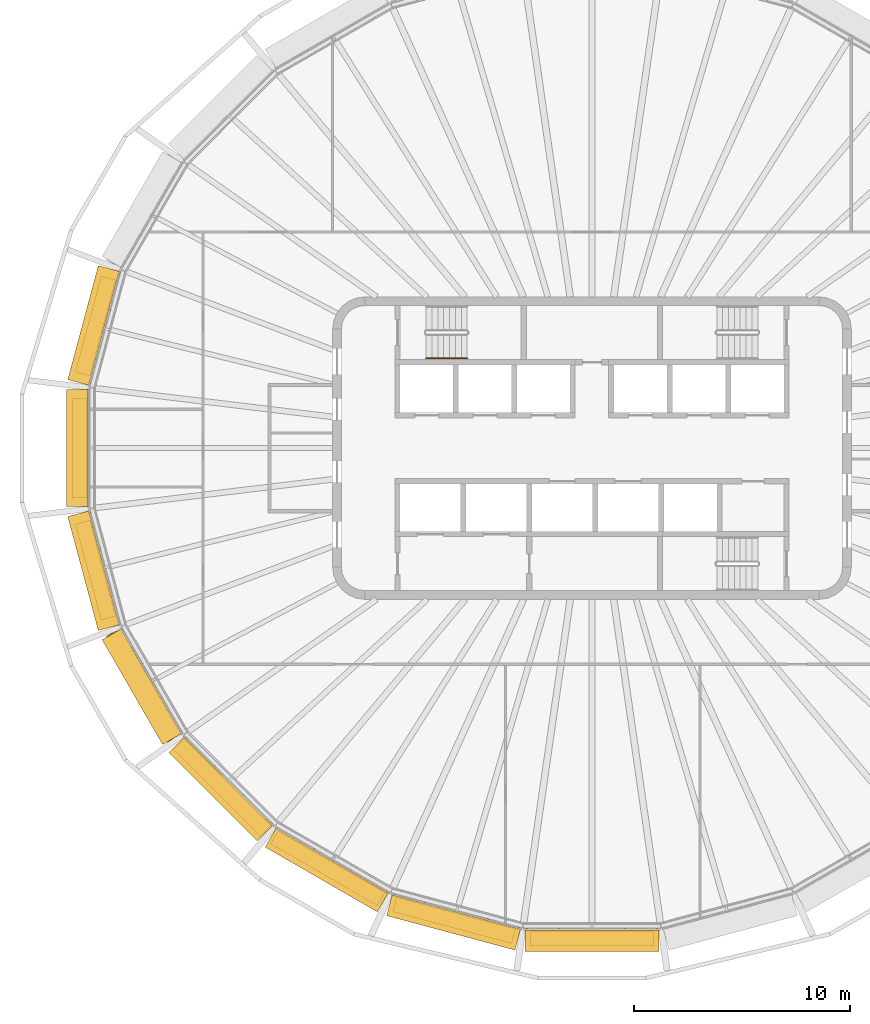
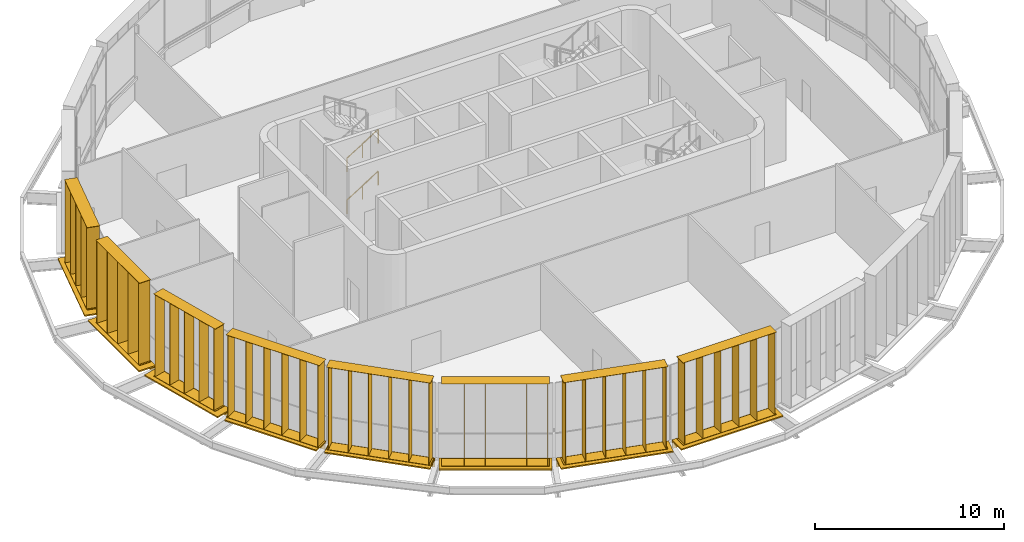
# One storey, part 12 of 16: 16 shading devices, 2 railings.
"""IFC4 building model written with IfcOpenShell, lengths in metres."""

from ifc_helpers import new_model, si_unit, direction, frame, origin, origin_2d, place, context, subcontext, project, spatial, rectangle, circle, extrude, material, type_object, element, save


model = new_model("IFC4")

# Units and contexts
model_context = context("Model", 3, precision=1e-05, world=origin(), true_north=direction((0.0, 1.0)))
body_context = subcontext(model_context, "Body", "Model", "MODEL_VIEW")
ifc_project = project(units=[si_unit("LENGTHUNIT", "METRE"), si_unit("AREAUNIT", "SQUARE_METRE"), si_unit("VOLUMEUNIT", "CUBIC_METRE"), si_unit("PLANEANGLEUNIT", "RADIAN"), si_unit("MASSUNIT", "GRAM", prefix="KILO")], contexts=[model_context])

# Site, building, storey
site_placement = place(None, origin())
site = spatial("IfcSite", under=ifc_project, at=site_placement, CompositionType="ELEMENT")
building_placement = place(site_placement, origin())
building = spatial("IfcBuilding", under=site, at=building_placement, Name="Sahrelin Media Tower", CompositionType="ELEMENT")
storey_placement = place(building_placement, frame((0.0, 0.0, 324.39990234375)))
storey = spatial("IfcBuildingStorey", under=building, at=storey_placement, Name="L72", CompositionType="ELEMENT", Elevation=324.39990234375)

# Shading devices
ifc_material_1 = material(Name="Champagne anodised aluminium 6063-T6", Category="aluminium")
shading_device_type_1 = type_object("IfcShadingDeviceType", Name="Fin cassette", PredefinedType="USERDEFINED", material=ifc_material_1)
placement_1 = place(storey_placement, frame((-22.56640625, 5.540283203125, 0.0), z_axis=(0.0, 0.0, 1.0), x_axis=(0.258807731996, 0.965928857556, 0.0)))
element("IfcShadingDevice", 1, at=placement_1, inside=storey, type_object=shading_device_type_1, Name="L72:FIN:L72-11", ObjectType="FIN", PredefinedType="USERDEFINED", context=body_context, shape_type="SweptSolid", body=[
    extrude(rectangle(XDim=4.60009765625, YDim=0.699951171875, at=origin_2d()), frame((0.0, 0.419921875, 0.0)), (0.0, 0.0, 1.0), 0.02001953125),
    extrude(rectangle(XDim=4.60009765625, YDim=0.699951171875, at=origin_2d()), frame((0.0, 0.419921875, 5.300048828125)), (0.0, 0.0, 1.0), 0.02001953125),
    extrude(rectangle(XDim=0.02001953125, YDim=0.699951171875, at=origin_2d()), frame((-2.199951171875, 0.419921875, 0.010009765625), z_axis=(0.0, 0.0, 1.0), x_axis=(1.0, 0.0, 0.0)), (0.0, 0.0, 1.0), 5.300048828125),
    extrude(rectangle(XDim=0.02001953125, YDim=0.699951171875, at=origin_2d()), frame((-1.10009765625, 0.419921875, 0.010009765625), z_axis=(0.0, 0.0, 1.0), x_axis=(1.0, 0.0, 0.0)), (0.0, 0.0, 1.0), 5.300048828125),
    extrude(rectangle(XDim=0.02001953125, YDim=0.699951171875, at=origin_2d()), frame((0.0, 0.419921875, 0.010009765625), z_axis=(0.0, 0.0, 1.0), x_axis=(1.0, 0.0, 0.0)), (0.0, 0.0, 1.0), 5.300048828125),
    extrude(rectangle(XDim=0.02001953125, YDim=0.699951171875, at=origin_2d()), frame((1.10009765625, 0.419921875, 0.010009765625), z_axis=(0.0, 0.0, 1.0), x_axis=(1.0, 0.0, 0.0)), (0.0, 0.0, 1.0), 5.300048828125),
    extrude(rectangle(XDim=0.02001953125, YDim=0.699951171875, at=origin_2d()), frame((2.199951171875, 0.419921875, 0.010009765625), z_axis=(0.0, 0.0, 1.0), x_axis=(1.0, 0.0, 0.0)), (0.0, 0.0, 1.0), 5.300048828125),
])
placement_2 = place(storey_placement, frame((-23.299072265625, 0.0, 0.0), z_axis=(0.0, 0.0, 1.0), x_axis=(0.0, 1.0, 0.0)))
element("IfcShadingDevice", 2, at=placement_2, inside=storey, type_object=shading_device_type_1, Name="L72:FIN:L72-12", ObjectType="FIN", PredefinedType="USERDEFINED", context=body_context, shape_type="SweptSolid", body=[
    extrude(rectangle(XDim=4.60009765625, YDim=0.699951171875, at=origin_2d()), frame((0.0, 0.419921875, 0.0)), (0.0, 0.0, 1.0), 0.02001953125),
    extrude(rectangle(XDim=4.60009765625, YDim=0.699951171875, at=origin_2d()), frame((0.0, 0.419921875, 5.300048828125)), (0.0, 0.0, 1.0), 0.02001953125),
    extrude(rectangle(XDim=0.02001953125, YDim=0.699951171875, at=origin_2d()), frame((-2.199951171875, 0.419921875, 0.010009765625), z_axis=(0.0, 0.0, 1.0), x_axis=(1.0, 0.0, 0.0)), (0.0, 0.0, 1.0), 5.300048828125),
    extrude(rectangle(XDim=0.02001953125, YDim=0.699951171875, at=origin_2d()), frame((-1.10009765625, 0.419921875, 0.010009765625), z_axis=(0.0, 0.0, 1.0), x_axis=(1.0, 0.0, 0.0)), (0.0, 0.0, 1.0), 5.300048828125),
    extrude(rectangle(XDim=0.02001953125, YDim=0.699951171875, at=origin_2d()), frame((0.0, 0.419921875, 0.010009765625), z_axis=(0.0, 0.0, 1.0), x_axis=(1.0, 0.0, 0.0)), (0.0, 0.0, 1.0), 5.300048828125),
    extrude(rectangle(XDim=0.02001953125, YDim=0.699951171875, at=origin_2d()), frame((1.10009765625, 0.419921875, 0.010009765625), z_axis=(0.0, 0.0, 1.0), x_axis=(1.0, 0.0, 0.0)), (0.0, 0.0, 1.0), 5.300048828125),
    extrude(rectangle(XDim=0.02001953125, YDim=0.699951171875, at=origin_2d()), frame((2.199951171875, 0.419921875, 0.010009765625), z_axis=(0.0, 0.0, 1.0), x_axis=(1.0, 0.0, 0.0)), (0.0, 0.0, 1.0), 5.300048828125),
])
placement_3 = place(storey_placement, frame((-22.56640625, -5.540283203125, 0.0), z_axis=(0.0, 0.0, 1.0), x_axis=(-0.258807731996, 0.965928857556, 0.0)))
element("IfcShadingDevice", 3, at=placement_3, inside=storey, type_object=shading_device_type_1, Name="L72:FIN:L72-13", ObjectType="FIN", PredefinedType="USERDEFINED", context=body_context, shape_type="SweptSolid", body=[
    extrude(rectangle(XDim=4.60009765625, YDim=0.699951171875, at=origin_2d()), frame((0.0, 0.419921875, 0.0)), (0.0, 0.0, 1.0), 0.02001953125),
    extrude(rectangle(XDim=4.60009765625, YDim=0.699951171875, at=origin_2d()), frame((0.0, 0.419921875, 5.300048828125)), (0.0, 0.0, 1.0), 0.02001953125),
    extrude(rectangle(XDim=0.02001953125, YDim=0.699951171875, at=origin_2d()), frame((-2.199951171875, 0.419921875, 0.010009765625), z_axis=(0.0, 0.0, 1.0), x_axis=(1.0, 0.0, 0.0)), (0.0, 0.0, 1.0), 5.300048828125),
    extrude(rectangle(XDim=0.02001953125, YDim=0.699951171875, at=origin_2d()), frame((-1.10009765625, 0.419921875, 0.010009765625), z_axis=(0.0, 0.0, 1.0), x_axis=(1.0, 0.0, 0.0)), (0.0, 0.0, 1.0), 5.300048828125),
    extrude(rectangle(XDim=0.02001953125, YDim=0.699951171875, at=origin_2d()), frame((0.0, 0.419921875, 0.010009765625), z_axis=(0.0, 0.0, 1.0), x_axis=(1.0, 0.0, 0.0)), (0.0, 0.0, 1.0), 5.300048828125),
    extrude(rectangle(XDim=0.02001953125, YDim=0.699951171875, at=origin_2d()), frame((1.10009765625, 0.419921875, 0.010009765625), z_axis=(0.0, 0.0, 1.0), x_axis=(1.0, 0.0, 0.0)), (0.0, 0.0, 1.0), 5.300048828125),
    extrude(rectangle(XDim=0.02001953125, YDim=0.699951171875, at=origin_2d()), frame((2.199951171875, 0.419921875, 0.010009765625), z_axis=(0.0, 0.0, 1.0), x_axis=(1.0, 0.0, 0.0)), (0.0, 0.0, 1.0), 5.300048828125),
])
placement_4 = place(storey_placement, frame((-20.385009765625, -10.783935546875, 0.0), z_axis=(0.0, 0.0, 1.0), x_axis=(-0.500011000363, 0.866019052629, 0.0)))
element("IfcShadingDevice", 4, at=placement_4, inside=storey, type_object=shading_device_type_1, Name="L72:FIN:L72-14", ObjectType="FIN", PredefinedType="USERDEFINED", context=body_context, shape_type="SweptSolid", body=[
    extrude(rectangle(XDim=5.699951171875, YDim=0.699951171875, at=origin_2d()), frame((0.0, 0.419921875, 0.0)), (0.0, 0.0, 1.0), 0.02001953125),
    extrude(rectangle(XDim=5.699951171875, YDim=0.699951171875, at=origin_2d()), frame((0.0, 0.419921875, 5.300048828125)), (0.0, 0.0, 1.0), 0.02001953125),
    extrude(rectangle(XDim=0.02001953125, YDim=0.699951171875, at=origin_2d()), frame((-2.75, 0.419921875, 0.010009765625), z_axis=(0.0, 0.0, 1.0), x_axis=(1.0, 0.0, 0.0)), (0.0, 0.0, 1.0), 5.300048828125),
    extrude(rectangle(XDim=0.02001953125, YDim=0.699951171875, at=origin_2d()), frame((-1.64990234375, 0.419921875, 0.010009765625), z_axis=(0.0, 0.0, 1.0), x_axis=(1.0, 0.0, 0.0)), (0.0, 0.0, 1.0), 5.300048828125),
    extrude(rectangle(XDim=0.02001953125, YDim=0.699951171875, at=origin_2d()), frame((-0.550048828125, 0.419921875, 0.010009765625), z_axis=(0.0, 0.0, 1.0), x_axis=(1.0, 0.0, 0.0)), (0.0, 0.0, 1.0), 5.300048828125),
    extrude(rectangle(XDim=0.02001953125, YDim=0.699951171875, at=origin_2d()), frame((0.550048828125, 0.419921875, 0.010009765625), z_axis=(0.0, 0.0, 1.0), x_axis=(1.0, 0.0, 0.0)), (0.0, 0.0, 1.0), 5.300048828125),
    extrude(rectangle(XDim=0.02001953125, YDim=0.699951171875, at=origin_2d()), frame((1.64990234375, 0.419921875, 0.010009765625), z_axis=(0.0, 0.0, 1.0), x_axis=(1.0, 0.0, 0.0)), (0.0, 0.0, 1.0), 5.300048828125),
    extrude(rectangle(XDim=0.02001953125, YDim=0.699951171875, at=origin_2d()), frame((2.75, 0.419921875, 0.010009765625), z_axis=(0.0, 0.0, 1.0), x_axis=(1.0, 0.0, 0.0)), (0.0, 0.0, 1.0), 5.300048828125),
])
placement_5 = place(storey_placement, frame((-16.818359375, -15.4111328125, 0.0), z_axis=(0.0, 0.0, 1.0), x_axis=(-0.707106781187, 0.707106781187, 0.0)))
element("IfcShadingDevice", 5, at=placement_5, inside=storey, type_object=shading_device_type_1, Name="L72:FIN:L72-15", ObjectType="FIN", PredefinedType="USERDEFINED", context=body_context, shape_type="SweptSolid", body=[
    extrude(rectangle(XDim=5.699951171875, YDim=0.699951171875, at=origin_2d()), frame((0.0, 0.419921875, 0.0)), (0.0, 0.0, 1.0), 0.02001953125),
    extrude(rectangle(XDim=5.699951171875, YDim=0.699951171875, at=origin_2d()), frame((0.0, 0.419921875, 5.300048828125)), (0.0, 0.0, 1.0), 0.02001953125),
    extrude(rectangle(XDim=0.02001953125, YDim=0.699951171875, at=origin_2d()), frame((-2.75, 0.419921875, 0.010009765625), z_axis=(0.0, 0.0, 1.0), x_axis=(1.0, 0.0, 0.0)), (0.0, 0.0, 1.0), 5.300048828125),
    extrude(rectangle(XDim=0.02001953125, YDim=0.699951171875, at=origin_2d()), frame((-1.64990234375, 0.419921875, 0.010009765625), z_axis=(0.0, 0.0, 1.0), x_axis=(1.0, 0.0, 0.0)), (0.0, 0.0, 1.0), 5.300048828125),
    extrude(rectangle(XDim=0.02001953125, YDim=0.699951171875, at=origin_2d()), frame((-0.550048828125, 0.419921875, 0.010009765625), z_axis=(0.0, 0.0, 1.0), x_axis=(1.0, 0.0, 0.0)), (0.0, 0.0, 1.0), 5.300048828125),
    extrude(rectangle(XDim=0.02001953125, YDim=0.699951171875, at=origin_2d()), frame((0.550048828125, 0.419921875, 0.010009765625), z_axis=(0.0, 0.0, 1.0), x_axis=(1.0, 0.0, 0.0)), (0.0, 0.0, 1.0), 5.300048828125),
    extrude(rectangle(XDim=0.02001953125, YDim=0.699951171875, at=origin_2d()), frame((1.64990234375, 0.419921875, 0.010009765625), z_axis=(0.0, 0.0, 1.0), x_axis=(1.0, 0.0, 0.0)), (0.0, 0.0, 1.0), 5.300048828125),
    extrude(rectangle(XDim=0.02001953125, YDim=0.699951171875, at=origin_2d()), frame((2.75, 0.419921875, 0.010009765625), z_axis=(0.0, 0.0, 1.0), x_axis=(1.0, 0.0, 0.0)), (0.0, 0.0, 1.0), 5.300048828125),
])
placement_6 = place(storey_placement, frame((-12.01904296875, -19.0771484375, 0.0), z_axis=(0.0, 0.0, 1.0), x_axis=(-0.866019052629, 0.500011000363, 0.0)))
element("IfcShadingDevice", 6, at=placement_6, inside=storey, type_object=shading_device_type_1, Name="L72:FIN:L72-16", ObjectType="FIN", PredefinedType="USERDEFINED", context=body_context, shape_type="SweptSolid", body=[
    extrude(rectangle(XDim=5.699951171875, YDim=0.699951171875, at=origin_2d()), frame((0.0, 0.419921875, 0.0)), (0.0, 0.0, 1.0), 0.02001953125),
    extrude(rectangle(XDim=5.699951171875, YDim=0.699951171875, at=origin_2d()), frame((0.0, 0.419921875, 5.300048828125)), (0.0, 0.0, 1.0), 0.02001953125),
    extrude(rectangle(XDim=0.02001953125, YDim=0.699951171875, at=origin_2d()), frame((-2.75, 0.419921875, 0.010009765625), z_axis=(0.0, 0.0, 1.0), x_axis=(1.0, 0.0, 0.0)), (0.0, 0.0, 1.0), 5.300048828125),
    extrude(rectangle(XDim=0.02001953125, YDim=0.699951171875, at=origin_2d()), frame((-1.64990234375, 0.419921875, 0.010009765625), z_axis=(0.0, 0.0, 1.0), x_axis=(1.0, 0.0, 0.0)), (0.0, 0.0, 1.0), 5.300048828125),
    extrude(rectangle(XDim=0.02001953125, YDim=0.699951171875, at=origin_2d()), frame((-0.550048828125, 0.419921875, 0.010009765625), z_axis=(0.0, 0.0, 1.0), x_axis=(1.0, 0.0, 0.0)), (0.0, 0.0, 1.0), 5.300048828125),
    extrude(rectangle(XDim=0.02001953125, YDim=0.699951171875, at=origin_2d()), frame((0.550048828125, 0.419921875, 0.010009765625), z_axis=(0.0, 0.0, 1.0), x_axis=(1.0, 0.0, 0.0)), (0.0, 0.0, 1.0), 5.300048828125),
    extrude(rectangle(XDim=0.02001953125, YDim=0.699951171875, at=origin_2d()), frame((1.64990234375, 0.419921875, 0.010009765625), z_axis=(0.0, 0.0, 1.0), x_axis=(1.0, 0.0, 0.0)), (0.0, 0.0, 1.0), 5.300048828125),
    extrude(rectangle(XDim=0.02001953125, YDim=0.699951171875, at=origin_2d()), frame((2.75, 0.419921875, 0.010009765625), z_axis=(0.0, 0.0, 1.0), x_axis=(1.0, 0.0, 0.0)), (0.0, 0.0, 1.0), 5.300048828125),
])
placement_7 = place(storey_placement, frame((-6.270751953125, -21.447021484375, 0.0), z_axis=(0.0, 0.0, 1.0), x_axis=(-0.965928857556, 0.258807731996, 0.0)))
element("IfcShadingDevice", 7, at=placement_7, inside=storey, type_object=shading_device_type_1, Name="L72:FIN:L72-17", ObjectType="FIN", PredefinedType="USERDEFINED", context=body_context, shape_type="SweptSolid", body=[
    extrude(rectangle(XDim=5.699951171875, YDim=0.699951171875, at=origin_2d()), frame((0.0, 0.419921875, 0.0)), (0.0, 0.0, 1.0), 0.02001953125),
    extrude(rectangle(XDim=5.699951171875, YDim=0.699951171875, at=origin_2d()), frame((0.0, 0.419921875, 5.300048828125)), (0.0, 0.0, 1.0), 0.02001953125),
    extrude(rectangle(XDim=0.02001953125, YDim=0.699951171875, at=origin_2d()), frame((-2.75, 0.419921875, 0.010009765625), z_axis=(0.0, 0.0, 1.0), x_axis=(1.0, 0.0, 0.0)), (0.0, 0.0, 1.0), 5.300048828125),
    extrude(rectangle(XDim=0.02001953125, YDim=0.699951171875, at=origin_2d()), frame((-1.64990234375, 0.419921875, 0.010009765625), z_axis=(0.0, 0.0, 1.0), x_axis=(1.0, 0.0, 0.0)), (0.0, 0.0, 1.0), 5.300048828125),
    extrude(rectangle(XDim=0.02001953125, YDim=0.699951171875, at=origin_2d()), frame((-0.550048828125, 0.419921875, 0.010009765625), z_axis=(0.0, 0.0, 1.0), x_axis=(1.0, 0.0, 0.0)), (0.0, 0.0, 1.0), 5.300048828125),
    extrude(rectangle(XDim=0.02001953125, YDim=0.699951171875, at=origin_2d()), frame((0.550048828125, 0.419921875, 0.010009765625), z_axis=(0.0, 0.0, 1.0), x_axis=(1.0, 0.0, 0.0)), (0.0, 0.0, 1.0), 5.300048828125),
    extrude(rectangle(XDim=0.02001953125, YDim=0.699951171875, at=origin_2d()), frame((1.64990234375, 0.419921875, 0.010009765625), z_axis=(0.0, 0.0, 1.0), x_axis=(1.0, 0.0, 0.0)), (0.0, 0.0, 1.0), 5.300048828125),
    extrude(rectangle(XDim=0.02001953125, YDim=0.699951171875, at=origin_2d()), frame((2.75, 0.419921875, 0.010009765625), z_axis=(0.0, 0.0, 1.0), x_axis=(1.0, 0.0, 0.0)), (0.0, 0.0, 1.0), 5.300048828125),
])
placement_8 = place(storey_placement, frame((0.0, -22.268798828125, 0.0), z_axis=(0.0, 0.0, 1.0), x_axis=(-1.0, 0.0, 0.0)))
element("IfcShadingDevice", 8, at=placement_8, inside=storey, type_object=shading_device_type_1, Name="L72:FIN:L72-18", ObjectType="FIN", PredefinedType="USERDEFINED", context=body_context, shape_type="SweptSolid", body=[
    extrude(rectangle(XDim=5.699951171875, YDim=0.699951171875, at=origin_2d()), frame((0.0, 0.419921875, 0.0)), (0.0, 0.0, 1.0), 0.02001953125),
    extrude(rectangle(XDim=5.699951171875, YDim=0.699951171875, at=origin_2d()), frame((0.0, 0.419921875, 5.300048828125)), (0.0, 0.0, 1.0), 0.02001953125),
    extrude(rectangle(XDim=0.02001953125, YDim=0.699951171875, at=origin_2d()), frame((-2.75, 0.419921875, 0.010009765625), z_axis=(0.0, 0.0, 1.0), x_axis=(1.0, 0.0, 0.0)), (0.0, 0.0, 1.0), 5.300048828125),
    extrude(rectangle(XDim=0.02001953125, YDim=0.699951171875, at=origin_2d()), frame((-1.64990234375, 0.419921875, 0.010009765625), z_axis=(0.0, 0.0, 1.0), x_axis=(1.0, 0.0, 0.0)), (0.0, 0.0, 1.0), 5.300048828125),
    extrude(rectangle(XDim=0.02001953125, YDim=0.699951171875, at=origin_2d()), frame((-0.550048828125, 0.419921875, 0.010009765625), z_axis=(0.0, 0.0, 1.0), x_axis=(1.0, 0.0, 0.0)), (0.0, 0.0, 1.0), 5.300048828125),
    extrude(rectangle(XDim=0.02001953125, YDim=0.699951171875, at=origin_2d()), frame((0.550048828125, 0.419921875, 0.010009765625), z_axis=(0.0, 0.0, 1.0), x_axis=(1.0, 0.0, 0.0)), (0.0, 0.0, 1.0), 5.300048828125),
    extrude(rectangle(XDim=0.02001953125, YDim=0.699951171875, at=origin_2d()), frame((1.64990234375, 0.419921875, 0.010009765625), z_axis=(0.0, 0.0, 1.0), x_axis=(1.0, 0.0, 0.0)), (0.0, 0.0, 1.0), 5.300048828125),
    extrude(rectangle(XDim=0.02001953125, YDim=0.699951171875, at=origin_2d()), frame((2.75, 0.419921875, 0.010009765625), z_axis=(0.0, 0.0, 1.0), x_axis=(1.0, 0.0, 0.0)), (0.0, 0.0, 1.0), 5.300048828125),
])

# Railings
ifc_material_2 = material(Name="Steel S355", Category="steel")
railing_type = type_object("IfcRailingType", Name="Stair handrail 900", PredefinedType="HANDRAIL", material=ifc_material_2)
for number, where, name in (
    (9, (-7.675048828125, 4.14990234375, 0.1689453125), "L72 ST1 stair handrail 1"),
    (10, (-7.675048828125, 4.14990234375, 2.868896484375), "L72 ST1 stair handrail 3"),
):
    element("IfcRailing", number, at=place(storey_placement, frame(where)), inside=storey, type_object=railing_type, Name=name, PredefinedType="HANDRAIL", context=body_context, shape_type="SweptSolid", body=[
        extrude(circle(Radius=0.02392578125, at=origin_2d()), frame((0.0, 0.0, 0.8759765625), z_axis=(0.849289292259, 0.0, 0.527927739425), x_axis=(0.0, 1.0, 0.0)), (0.0, 0.0, 1.0), 2.2373046875),
        extrude(circle(Radius=0.02099609375, at=origin_2d()), origin(), (0.0, 0.0, 1.0), 0.851806640625),
        extrude(circle(Radius=0.02099609375, at=origin_2d()), frame((0.9501953125, 0.0, 0.590576171875)), (0.0, 0.0, 1.0), 0.851806640625),
        extrude(circle(Radius=0.02099609375, at=origin_2d()), frame((1.900146484375, 0.0, 1.18115234375)), (0.0, 0.0, 1.0), 0.851806640625),
    ])

# Shading devices
shading_device_type_2 = type_object("IfcShadingDeviceType", Name="Sunshade band", PredefinedType="USERDEFINED", material=ifc_material_1)
element("IfcShadingDevice", 11, at=placement_1, inside=storey, type_object=shading_device_type_2, Name="L72:SUN:L72-11", ObjectType="SUNSHADE", PredefinedType="USERDEFINED", context=body_context, shape_type="SweptSolid", body=[
    extrude(rectangle(XDim=5.460693359375, YDim=0.050048828125, at=origin_2d()), frame((0.0, 0.044921875, -0.55126953125)), (0.0, 0.0, 1.0), 0.471435546875),
    extrude(rectangle(XDim=5.460693359375, YDim=1.0, at=origin_2d()), frame((0.0, 0.52001953125, -0.080078125)), (0.0, 0.0, 1.0), 0.080078125),
    extrude(rectangle(XDim=0.10009765625, YDim=0.074951171875, at=origin_2d()), frame((-2.63037109375, -0.017578125, -0.47021484375)), (0.0, 0.0, 1.0), 0.300048828125),
    extrude(rectangle(XDim=0.10009765625, YDim=0.074951171875, at=origin_2d()), frame((-0.876708984375, -0.017578125, -0.47021484375)), (0.0, 0.0, 1.0), 0.300048828125),
    extrude(rectangle(XDim=0.10009765625, YDim=0.074951171875, at=origin_2d()), frame((0.876708984375, -0.017578125, -0.47021484375)), (0.0, 0.0, 1.0), 0.300048828125),
    extrude(rectangle(XDim=0.10009765625, YDim=0.074951171875, at=origin_2d()), frame((2.63037109375, -0.017578125, -0.47021484375)), (0.0, 0.0, 1.0), 0.300048828125),
])
element("IfcShadingDevice", 12, at=placement_2, inside=storey, type_object=shading_device_type_2, Name="L72:SUN:L72-12", ObjectType="SUNSHADE", PredefinedType="USERDEFINED", context=body_context, shape_type="SweptSolid", body=[
    extrude(rectangle(XDim=5.412353515625, YDim=0.050048828125, at=origin_2d()), frame((0.0, 0.044921875, -0.55126953125)), (0.0, 0.0, 1.0), 0.471435546875),
    extrude(rectangle(XDim=5.412353515625, YDim=1.0, at=origin_2d()), frame((0.0, 0.52001953125, -0.080078125)), (0.0, 0.0, 1.0), 0.080078125),
    extrude(rectangle(XDim=0.10009765625, YDim=0.074951171875, at=origin_2d()), frame((-2.606201171875, -0.017578125, -0.47021484375)), (0.0, 0.0, 1.0), 0.300048828125),
    extrude(rectangle(XDim=0.10009765625, YDim=0.074951171875, at=origin_2d()), frame((-0.86865234375, -0.017578125, -0.47021484375)), (0.0, 0.0, 1.0), 0.300048828125),
    extrude(rectangle(XDim=0.10009765625, YDim=0.074951171875, at=origin_2d()), frame((0.86865234375, -0.017578125, -0.47021484375)), (0.0, 0.0, 1.0), 0.300048828125),
    extrude(rectangle(XDim=0.10009765625, YDim=0.074951171875, at=origin_2d()), frame((2.606201171875, -0.017578125, -0.47021484375)), (0.0, 0.0, 1.0), 0.300048828125),
])
element("IfcShadingDevice", 13, at=placement_3, inside=storey, type_object=shading_device_type_2, Name="L72:SUN:L72-13", ObjectType="SUNSHADE", PredefinedType="USERDEFINED", context=body_context, shape_type="SweptSolid", body=[
    extrude(rectangle(XDim=5.460693359375, YDim=0.050048828125, at=origin_2d()), frame((0.0, 0.044921875, -0.55126953125)), (0.0, 0.0, 1.0), 0.471435546875),
    extrude(rectangle(XDim=5.460693359375, YDim=1.0, at=origin_2d()), frame((0.0, 0.52001953125, -0.080078125)), (0.0, 0.0, 1.0), 0.080078125),
    extrude(rectangle(XDim=0.10009765625, YDim=0.074951171875, at=origin_2d()), frame((-2.63037109375, -0.017578125, -0.47021484375)), (0.0, 0.0, 1.0), 0.300048828125),
    extrude(rectangle(XDim=0.10009765625, YDim=0.074951171875, at=origin_2d()), frame((-0.876708984375, -0.017578125, -0.47021484375)), (0.0, 0.0, 1.0), 0.300048828125),
    extrude(rectangle(XDim=0.10009765625, YDim=0.074951171875, at=origin_2d()), frame((0.876708984375, -0.017578125, -0.47021484375)), (0.0, 0.0, 1.0), 0.300048828125),
    extrude(rectangle(XDim=0.10009765625, YDim=0.074951171875, at=origin_2d()), frame((2.63037109375, -0.017578125, -0.47021484375)), (0.0, 0.0, 1.0), 0.300048828125),
])
element("IfcShadingDevice", 14, at=placement_4, inside=storey, type_object=shading_device_type_2, Name="L72:SUN:L72-14", ObjectType="SUNSHADE", PredefinedType="USERDEFINED", context=body_context, shape_type="SweptSolid", body=[
    extrude(rectangle(XDim=5.59619140625, YDim=0.050048828125, at=origin_2d()), frame((0.0, 0.044921875, -0.55126953125)), (0.0, 0.0, 1.0), 0.471435546875),
    extrude(rectangle(XDim=5.59619140625, YDim=1.0, at=origin_2d()), frame((0.0, 0.52001953125, -0.080078125)), (0.0, 0.0, 1.0), 0.080078125),
    extrude(rectangle(XDim=0.10009765625, YDim=0.074951171875, at=origin_2d()), frame((-2.697998046875, -0.017578125, -0.47021484375)), (0.0, 0.0, 1.0), 0.300048828125),
    extrude(rectangle(XDim=0.10009765625, YDim=0.074951171875, at=origin_2d()), frame((-0.8994140625, -0.017578125, -0.47021484375)), (0.0, 0.0, 1.0), 0.300048828125),
    extrude(rectangle(XDim=0.10009765625, YDim=0.074951171875, at=origin_2d()), frame((0.8994140625, -0.017578125, -0.47021484375)), (0.0, 0.0, 1.0), 0.300048828125),
    extrude(rectangle(XDim=0.10009765625, YDim=0.074951171875, at=origin_2d()), frame((2.697998046875, -0.017578125, -0.47021484375)), (0.0, 0.0, 1.0), 0.300048828125),
])
element("IfcShadingDevice", 15, at=placement_5, inside=storey, type_object=shading_device_type_2, Name="L72:SUN:L72-15", ObjectType="SUNSHADE", PredefinedType="USERDEFINED", context=body_context, shape_type="SweptSolid", body=[
    extrude(rectangle(XDim=5.789306640625, YDim=0.050048828125, at=origin_2d()), frame((0.0, 0.044921875, -0.55126953125)), (0.0, 0.0, 1.0), 0.471435546875),
    extrude(rectangle(XDim=5.789306640625, YDim=1.0, at=origin_2d()), frame((0.0, 0.52001953125, -0.080078125)), (0.0, 0.0, 1.0), 0.080078125),
    extrude(rectangle(XDim=0.10009765625, YDim=0.074951171875, at=origin_2d()), frame((-2.794677734375, -0.017578125, -0.47021484375)), (0.0, 0.0, 1.0), 0.300048828125),
    extrude(rectangle(XDim=0.10009765625, YDim=0.074951171875, at=origin_2d()), frame((-0.931640625, -0.017578125, -0.47021484375)), (0.0, 0.0, 1.0), 0.300048828125),
    extrude(rectangle(XDim=0.10009765625, YDim=0.074951171875, at=origin_2d()), frame((0.931640625, -0.017578125, -0.47021484375)), (0.0, 0.0, 1.0), 0.300048828125),
    extrude(rectangle(XDim=0.10009765625, YDim=0.074951171875, at=origin_2d()), frame((2.794677734375, -0.017578125, -0.47021484375)), (0.0, 0.0, 1.0), 0.300048828125),
])
element("IfcShadingDevice", 16, at=placement_6, inside=storey, type_object=shading_device_type_2, Name="L72:SUN:L72-16", ObjectType="SUNSHADE", PredefinedType="USERDEFINED", context=body_context, shape_type="SweptSolid", body=[
    extrude(rectangle(XDim=5.9931640625, YDim=0.050048828125, at=origin_2d()), frame((0.0, 0.044921875, -0.55126953125)), (0.0, 0.0, 1.0), 0.471435546875),
    extrude(rectangle(XDim=5.9931640625, YDim=1.0, at=origin_2d()), frame((0.0, 0.52001953125, -0.080078125)), (0.0, 0.0, 1.0), 0.080078125),
    extrude(rectangle(XDim=0.10009765625, YDim=0.074951171875, at=origin_2d()), frame((-2.896484375, -0.017578125, -0.47021484375)), (0.0, 0.0, 1.0), 0.300048828125),
    extrude(rectangle(XDim=0.10009765625, YDim=0.074951171875, at=origin_2d()), frame((-0.965576171875, -0.017578125, -0.47021484375)), (0.0, 0.0, 1.0), 0.300048828125),
    extrude(rectangle(XDim=0.10009765625, YDim=0.074951171875, at=origin_2d()), frame((0.965576171875, -0.017578125, -0.47021484375)), (0.0, 0.0, 1.0), 0.300048828125),
    extrude(rectangle(XDim=0.10009765625, YDim=0.074951171875, at=origin_2d()), frame((2.896484375, -0.017578125, -0.47021484375)), (0.0, 0.0, 1.0), 0.300048828125),
])
element("IfcShadingDevice", 17, at=placement_7, inside=storey, type_object=shading_device_type_2, Name="L72:SUN:L72-17", ObjectType="SUNSHADE", PredefinedType="USERDEFINED", context=body_context, shape_type="SweptSolid", body=[
    extrude(rectangle(XDim=6.149658203125, YDim=0.050048828125, at=origin_2d()), frame((0.0, 0.044921875, -0.55126953125)), (0.0, 0.0, 1.0), 0.471435546875),
    extrude(rectangle(XDim=6.149658203125, YDim=1.0, at=origin_2d()), frame((0.0, 0.52001953125, -0.080078125)), (0.0, 0.0, 1.0), 0.080078125),
    extrude(rectangle(XDim=0.10009765625, YDim=0.074951171875, at=origin_2d()), frame((-2.974853515625, -0.017578125, -0.47021484375)), (0.0, 0.0, 1.0), 0.300048828125),
    extrude(rectangle(XDim=0.10009765625, YDim=0.074951171875, at=origin_2d()), frame((-1.4873046875, -0.017578125, -0.47021484375)), (0.0, 0.0, 1.0), 0.300048828125),
    extrude(rectangle(XDim=0.10009765625, YDim=0.074951171875, at=origin_2d()), frame((0.0, -0.017578125, -0.47021484375)), (0.0, 0.0, 1.0), 0.300048828125),
    extrude(rectangle(XDim=0.10009765625, YDim=0.074951171875, at=origin_2d()), frame((1.4873046875, -0.017578125, -0.47021484375)), (0.0, 0.0, 1.0), 0.300048828125),
    extrude(rectangle(XDim=0.10009765625, YDim=0.074951171875, at=origin_2d()), frame((2.974853515625, -0.017578125, -0.47021484375)), (0.0, 0.0, 1.0), 0.300048828125),
])
element("IfcShadingDevice", 18, at=placement_8, inside=storey, type_object=shading_device_type_2, Name="L72:SUN:L72-18", ObjectType="SUNSHADE", PredefinedType="USERDEFINED", context=body_context, shape_type="SweptSolid", body=[
    extrude(rectangle(XDim=6.208251953125, YDim=0.050048828125, at=origin_2d()), frame((0.0, 0.044921875, -0.55126953125)), (0.0, 0.0, 1.0), 0.471435546875),
    extrude(rectangle(XDim=6.208251953125, YDim=1.0, at=origin_2d()), frame((0.0, 0.52001953125, -0.080078125)), (0.0, 0.0, 1.0), 0.080078125),
    extrude(rectangle(XDim=0.10009765625, YDim=0.074951171875, at=origin_2d()), frame((-3.004150390625, -0.017578125, -0.47021484375)), (0.0, 0.0, 1.0), 0.300048828125),
    extrude(rectangle(XDim=0.10009765625, YDim=0.074951171875, at=origin_2d()), frame((-1.502197265625, -0.017578125, -0.47021484375)), (0.0, 0.0, 1.0), 0.300048828125),
    extrude(rectangle(XDim=0.10009765625, YDim=0.074951171875, at=origin_2d()), frame((0.0, -0.017578125, -0.47021484375)), (0.0, 0.0, 1.0), 0.300048828125),
    extrude(rectangle(XDim=0.10009765625, YDim=0.074951171875, at=origin_2d()), frame((1.501953125, -0.017578125, -0.47021484375)), (0.0, 0.0, 1.0), 0.300048828125),
    extrude(rectangle(XDim=0.10009765625, YDim=0.074951171875, at=origin_2d()), frame((3.004150390625, -0.017578125, -0.47021484375)), (0.0, 0.0, 1.0), 0.300048828125),
])

save(model, "model.ifc")
